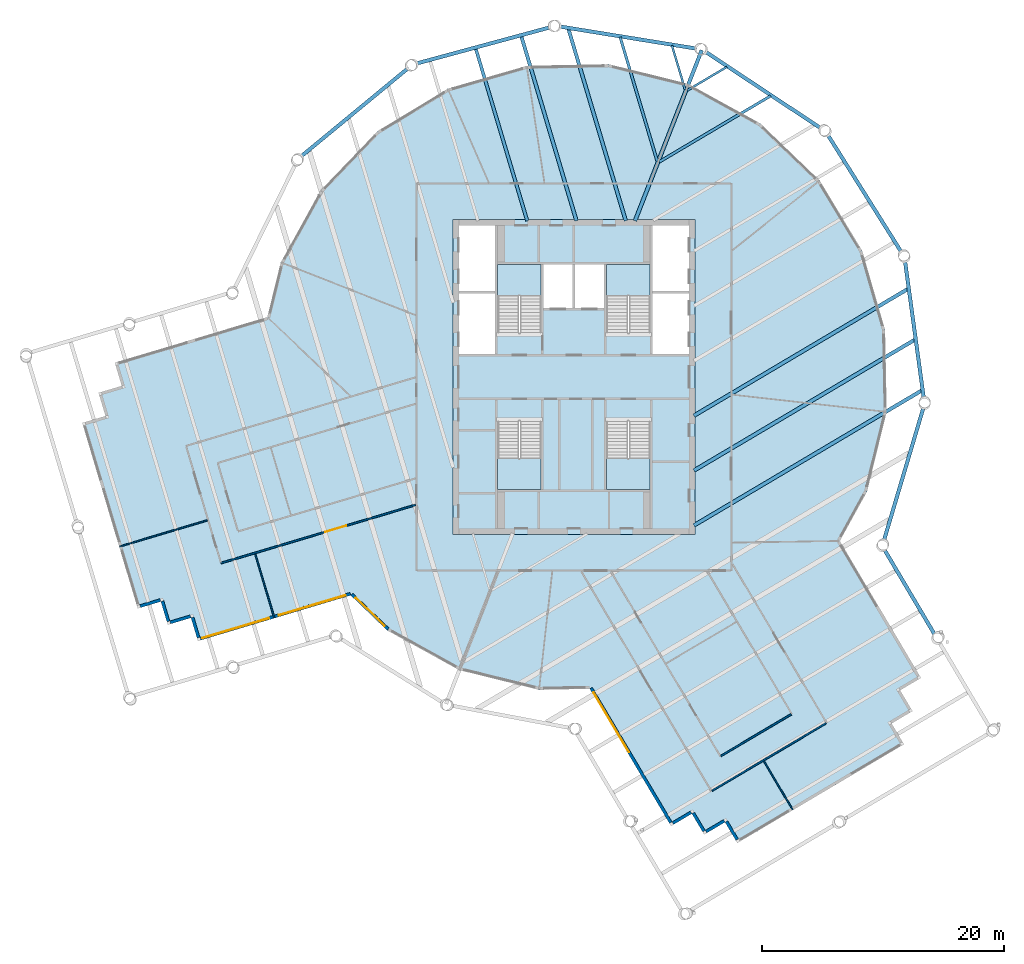
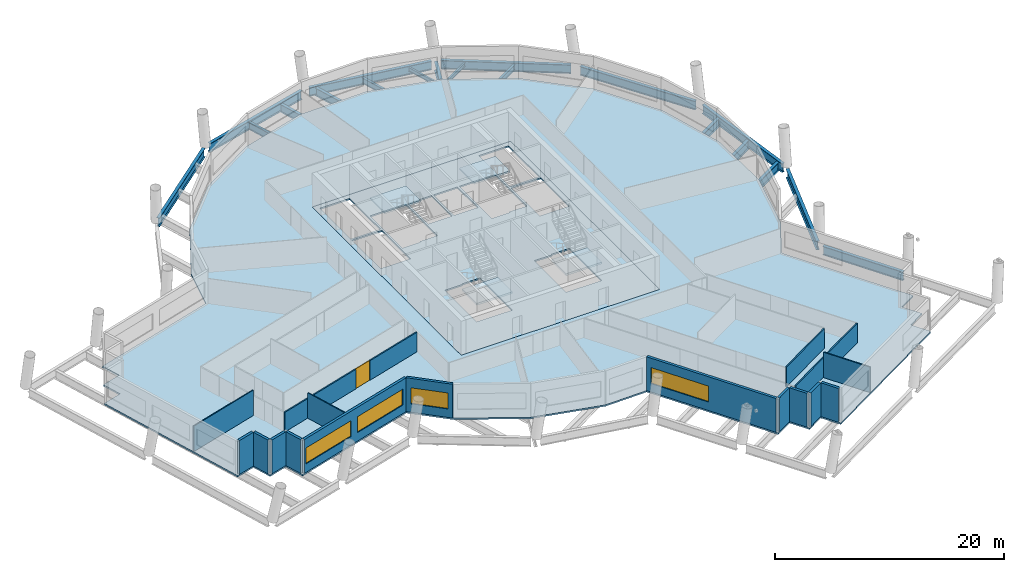
# One storey, part 2 of 11: 19 beams, 17 walls, 6 slabs, 4 windows, 1 door, 5 openings, 4 elements without a shape of their own.
"""IFC4 building model written with IfcOpenShell, lengths in metres."""

from ifc_helpers import new_model, si_unit, direction, frame, frame_2d, origin, origin_2d, place, context, subcontext, project, spatial, polyline, rectangle, i_section, outline, extrude, material, layer, layer_set, material_profile, profile_set, type_object, element, fill, aggregate, save


model = new_model("IFC4")

# Units and contexts
model_context = context("Model", 3, precision=1e-05, world=origin(), true_north=direction((0.0, 1.0)))
body_context = subcontext(model_context, "Body", "Model", "MODEL_VIEW")
ifc_project = project(units=[si_unit("LENGTHUNIT", "METRE"), si_unit("AREAUNIT", "SQUARE_METRE"), si_unit("VOLUMEUNIT", "CUBIC_METRE"), si_unit("PLANEANGLEUNIT", "RADIAN"), si_unit("MASSUNIT", "GRAM", prefix="KILO")], contexts=[model_context])

# Site, building, storey
site_placement = place(None, origin())
site = spatial("IfcSite", under=ifc_project, at=site_placement, CompositionType="ELEMENT")
building_placement = place(site_placement, origin())
building = spatial("IfcBuilding", under=site, at=building_placement, Name="Tarsis Ring Headquarters", CompositionType="ELEMENT")
storey_placement = place(building_placement, frame((0.0, 0.0, 350.89990234375)))
storey = spatial("IfcBuildingStorey", under=building, at=storey_placement, Name="L83", CompositionType="ELEMENT", Elevation=350.89990234375)

# Beams
ifc_material_1 = material(Name="Structural steel S355", Category="steel")
ifc_material_profile_1 = material_profile(ifc_material_1, i_section(OverallWidth=0.177734375, OverallDepth=0.406494140625, WebThickness=0.0078125, FlangeThickness=0.0126953125, at=origin_2d()), Name="W16x40")
ifc_profile_set_1 = profile_set([ifc_material_profile_1], Name="Structural steel S355")
beam_type_1 = type_object("IfcBeamType", Name="FB Floor beam W16x40", PredefinedType="JOIST", material=ifc_profile_set_1)
for number, where, z_axis, x_axis, name in (
    (1, (9.359619140625, 23.67529296875, -0.363037109375), (0.860366560543, 0.509675761145, 0.0), (-0.509675761145, 0.860366560543, 0.0), "Floor beam FB1"),
    (2, (8.095947265625, 27.38916015625, -0.363037109375), (0.286352932469, -0.958124208058, 0.0), (0.958124208058, 0.286352932469, 0.0), "Floor beam FB1"),
):
    element("IfcBeam", number, at=place(storey_placement, frame(where, z_axis=z_axis, x_axis=x_axis)), inside=storey, type_object=beam_type_1, Name=name, PredefinedType="JOIST", context=body_context, shape_type="SweptSolid", body=[
        extrude(i_section(OverallWidth=0.177734375, OverallDepth=0.406494140625, WebThickness=0.0078125, FlangeThickness=0.0126953125, at=origin_2d()), origin(), (0.0, 0.0, 1.0), 3.80517578125),
    ])
ifc_material_profile_2 = material_profile(ifc_material_1, i_section(OverallWidth=0.228271484375, OverallDepth=0.607177734375, WebThickness=0.01123046875, FlangeThickness=0.017333984375, at=origin_2d()), Name="W24x76")
ifc_profile_set_2 = profile_set([ifc_material_profile_2], Name="Structural steel S355")
beam_type_2 = type_object("IfcBeamType", Name="FB Floor beam W24x76", PredefinedType="JOIST", material=ifc_profile_set_2)
for number, where, z_axis, x_axis, name in (
    (3, (7.05224609375, 17.77587890625, -0.46337890625), (0.860386536762, 0.509642038454, 0.0), (-0.509642038454, 0.860386536762, 0.0), "Floor beam FB4"),
    (4, (3.818603515625, 28.0810546875, -0.46337890625), (0.28637714358, -0.958116971791, 0.0), (0.958116971791, 0.28637714358, 0.0), "Floor beam FB4"),
):
    element("IfcBeam", number, at=place(storey_placement, frame(where, z_axis=z_axis, x_axis=x_axis)), inside=storey, type_object=beam_type_2, Name=name, PredefinedType="JOIST", context=body_context, shape_type="SweptSolid", body=[
        extrude(i_section(OverallWidth=0.228271484375, OverallDepth=0.607177734375, WebThickness=0.01123046875, FlangeThickness=0.017333984375, at=origin_2d()), origin(), (0.0, 0.0, 1.0), 10.6845703125),
    ])
ifc_material_profile_3 = material_profile(ifc_material_1, i_section(OverallWidth=0.2666015625, OverallDepth=0.7568359375, WebThickness=0.013916015625, FlangeThickness=0.019287109375, at=origin_2d()), Name="W30x108")
ifc_profile_set_3 = profile_set([ifc_material_profile_3], Name="Structural steel S355")
beam_type_3 = type_object("IfcBeamType", Name="FB Floor beam W30x108", PredefinedType="JOIST", material=ifc_profile_set_3)
beam_1_placement = place(storey_placement, frame((-8.1181640625, 27.162841796875, -0.538330078125), z_axis=(0.286355883386, -0.958123326117, 0.0), x_axis=(0.958123326117, 0.286355883386, 0.0)))
element("IfcBeam", 5, at=beam_1_placement, inside=storey, type_object=beam_type_3, Name="Floor beam FB6", PredefinedType="JOIST", context=body_context, shape_type="SweptSolid", body=[
    extrude(i_section(OverallWidth=0.2666015625, OverallDepth=0.7568359375, WebThickness=0.013916015625, FlangeThickness=0.019287109375, at=origin_2d()), origin(), (0.0, 0.0, 1.0), 14.8818359375),
])
ifc_material_profile_4 = material_profile(ifc_material_1, i_section(OverallWidth=0.2919921875, OverallDepth=0.835693359375, WebThickness=0.013916015625, FlangeThickness=0.018798828125, at=origin_2d()), Name="W33x118")
ifc_profile_set_4 = profile_set([ifc_material_profile_4], Name="Structural steel S355")
beam_type_4 = type_object("IfcBeamType", Name="FB Floor beam W33x118", PredefinedType="JOIST", material=ifc_profile_set_4)
beam_2_placement = place(storey_placement, frame((-0.45849609375, 28.773193359375, -0.57763671875), z_axis=(0.286351048531, -0.958124771105, 0.0), x_axis=(0.958124771105, 0.286351048531, 0.0)))
element("IfcBeam", 6, at=beam_2_placement, inside=storey, type_object=beam_type_4, Name="Floor beam FB7", PredefinedType="JOIST", context=body_context, shape_type="SweptSolid", body=[
    extrude(i_section(OverallWidth=0.2919921875, OverallDepth=0.835693359375, WebThickness=0.013916015625, FlangeThickness=0.018798828125, at=origin_2d()), origin(), (0.0, 0.0, 1.0), 16.5625),
])
beam_3_placement = place(storey_placement, frame((-4.3525390625, 28.1826171875, -0.57763671875), z_axis=(0.286350446752, -0.958124950956, 0.0), x_axis=(0.958124950956, 0.286350446752, 0.0)))
element("IfcBeam", 7, at=beam_3_placement, inside=storey, type_object=beam_type_4, Name="Floor beam FB7", PredefinedType="JOIST", context=body_context, shape_type="SweptSolid", body=[
    extrude(i_section(OverallWidth=0.2919921875, OverallDepth=0.835693359375, WebThickness=0.013916015625, FlangeThickness=0.018798828125, at=origin_2d()), origin(), (0.0, 0.0, 1.0), 15.946044921875),
])
ifc_material_profile_5 = material_profile(ifc_material_1, i_section(OverallWidth=0.3046875, OverallDepth=0.904296875, WebThickness=0.01513671875, FlangeThickness=0.02001953125, at=origin_2d()), Name="W36x135")
ifc_profile_set_5 = profile_set([ifc_material_profile_5], Name="Structural steel S355")
beam_type_5 = type_object("IfcBeamType", Name="FB Floor beam W36x135", PredefinedType="JOIST", material=ifc_profile_set_5)
beam_4_placement = place(storey_placement, frame((9.9140625, -3.193359375, -0.612060546875), z_axis=(0.860384120288, 0.509646117964, 0.0), x_axis=(-0.509646117964, 0.860384120288, 0.0)))
element("IfcBeam", 8, at=beam_4_placement, inside=storey, type_object=beam_type_5, Name="Floor beam FB8", PredefinedType="JOIST", context=body_context, shape_type="SweptSolid", body=[
    extrude(i_section(OverallWidth=0.3046875, OverallDepth=0.904296875, WebThickness=0.01513671875, FlangeThickness=0.02001953125, at=origin_2d()), origin(), (0.0, 0.0, 1.0), 20.556640625),
])
ifc_material_profile_6 = material_profile(ifc_material_1, i_section(OverallWidth=0.3046875, OverallDepth=0.91943359375, WebThickness=0.017333984375, FlangeThickness=0.02783203125, at=origin_2d()), Name="W36x170")
ifc_profile_set_6 = profile_set([ifc_material_profile_6], Name="Structural steel S355")
beam_type_6 = type_object("IfcBeamType", Name="FB Floor beam W36x170", PredefinedType="JOIST", material=ifc_profile_set_6)
beam_5_placement = place(storey_placement, frame((9.9140625, -7.72607421875, -0.61962890625), z_axis=(0.860383268853, 0.509647555353, 0.0), x_axis=(-0.509647555353, 0.860383268853, 0.0)))
element("IfcBeam", 9, at=beam_5_placement, inside=storey, type_object=beam_type_6, Name="Floor beam FB9", PredefinedType="JOIST", context=body_context, shape_type="SweptSolid", body=[
    extrude(i_section(OverallWidth=0.3046875, OverallDepth=0.91943359375, WebThickness=0.017333984375, FlangeThickness=0.02783203125, at=origin_2d()), origin(), (0.0, 0.0, 1.0), 21.222900390625),
])
beam_6_placement = place(storey_placement, frame((9.9140625, -12.259033203125, -0.61962890625), z_axis=(0.86038246925, 0.509648905236, 0.0), x_axis=(-0.509648905236, 0.86038246925, 0.0)))
element("IfcBeam", 10, at=beam_6_placement, inside=storey, type_object=beam_type_6, Name="Floor beam FB9", PredefinedType="JOIST", context=body_context, shape_type="SweptSolid", body=[
    extrude(i_section(OverallWidth=0.3046875, OverallDepth=0.91943359375, WebThickness=0.017333984375, FlangeThickness=0.02783203125, at=origin_2d()), origin(), (0.0, 0.0, 1.0), 21.88916015625),
])
ifc_material_profile_7 = material_profile(ifc_material_1, i_section(OverallWidth=0.309814453125, OverallDepth=0.949951171875, WebThickness=0.0244140625, FlangeThickness=0.0439453125, at=origin_2d()), Name="W36x256")
ifc_profile_set_7 = profile_set([ifc_material_profile_7], Name="Structural steel S355")
beam_type_7 = type_object("IfcBeamType", Name="FB Floor beam W36x256 spine", PredefinedType="BEAM", material=ifc_profile_set_7)
beam_7_placement = place(storey_placement, frame((10.558837890625, 26.998779296875, -0.635009765625), z_axis=(-0.364216222075, -0.931314417143, 0.0), x_axis=(0.931314417143, -0.364216222075, 0.0)))
element("IfcBeam", 11, at=beam_7_placement, inside=storey, type_object=beam_type_7, Name="Floor beam SB11", PredefinedType="BEAM", context=body_context, shape_type="SweptSolid", body=[
    extrude(i_section(OverallWidth=0.309814453125, OverallDepth=0.949951171875, WebThickness=0.0244140625, FlangeThickness=0.0439453125, at=origin_2d()), origin(), (0.0, 0.0, 1.0), 15.131103515625),
])
ifc_material_profile_8 = material_profile(ifc_material_1, i_section(OverallWidth=0.309814453125, OverallDepth=0.93212890625, WebThickness=0.02099609375, FlangeThickness=0.034423828125, at=origin_2d()), Name="W36x210")
ifc_profile_set_8 = profile_set([ifc_material_profile_8], Name="Structural steel S355")
beam_type_8 = type_object("IfcBeamType", Name="XG Ring girder W36x210", PredefinedType="BEAM", material=ifc_profile_set_8)
beam_8_placement = place(storey_placement, frame((29.7880859375, -21.248779296875, -0.466064453125), z_axis=(-0.509647437142, 0.860383338875, 0.0), x_axis=(-0.860383338875, -0.509647437142, 0.0)))
element("IfcBeam", 12, at=beam_8_placement, inside=storey, type_object=beam_type_8, Name="Ring girder XG3", PredefinedType="BEAM", context=body_context, shape_type="SweptSolid", body=[
    extrude(i_section(OverallWidth=0.309814453125, OverallDepth=0.93212890625, WebThickness=0.02099609375, FlangeThickness=0.034423828125, at=origin_2d()), origin(), (0.0, 0.0, 1.0), 8.033447265625),
])
for number, where, z_axis, x_axis, name in (
    (13, (25.59619140625, -13.546875, -0.466064453125), (0.285004895272, 0.958526061029, 0.0), (-0.958526061029, 0.285004895272, 0.0), "Ring girder XG3"),
    (14, (28.904541015625, -1.7919921875, -0.466064453125), (-0.135432947858, 0.990786514157, 0.0), (-0.990786514157, -0.135432947858, 0.0), "Ring girder XG3"),
    (15, (27.073486328125, 10.281494140625, -0.466064453125), (-0.53177958302, 0.846882798906, 0.0), (-0.846882798906, -0.53177958302, 0.0), "Ring girder XG3"),
    (16, (20.4287109375, 20.52685546875, -0.466064453125), (-0.833581831774, 0.552395989972, 0.0), (-0.552395989972, -0.833581831774, 0.0), "Ring girder XG3"),
    (17, (10.1513671875, 27.12255859375, -0.466064453125), (-0.987169437729, 0.159676238727, 0.0), (-0.159676238727, -0.987169437729, 0.0), "Ring girder XG3"),
    (18, (-1.9306640625, 28.8955078125, -0.466064453125), (-0.965228176301, -0.261408813305, 0.0), (0.261408813305, -0.965228176301, 0.0), "Ring girder XG3"),
    (19, (-13.66943359375, 25.531005859375, -0.466064453125), (-0.771670698484, -0.636022274061, 0.0), (0.636022274061, -0.771670698484, 0.0), "Ring girder XG3"),
):
    element("IfcBeam", number, at=place(storey_placement, frame(where, z_axis=z_axis, x_axis=x_axis)), inside=storey, type_object=beam_type_8, Name=name, PredefinedType="BEAM", context=body_context, shape_type="SweptSolid", body=[
        extrude(i_section(OverallWidth=0.309814453125, OverallDepth=0.93212890625, WebThickness=0.02099609375, FlangeThickness=0.034423828125, at=origin_2d()), origin(), (0.0, 0.0, 1.0), 11.380126953125),
    ])

# Slab
ifc_material_2 = material(Name="Concrete C40/50", Category="concrete")
ifc_layer_1 = layer(ifc_material_2, 0.159912109375)
ifc_layer_set_1 = layer_set([ifc_layer_1], Name="Core floor slab 160 C40/50")
slab_type_1 = type_object("IfcSlabType", Name="Core floor slab 160 C40/50", PredefinedType="FLOOR", material=ifc_layer_set_1)
slab_1_placement = place(storey_placement, frame((0.0, 0.0, -0.159912109375)))
element("IfcSlab", 20, at=slab_1_placement, inside=storey, type_object=slab_type_1, Name="L83 core floor slab", PredefinedType="FLOOR", context=body_context, shape_type="SweptSolid", body=[
    extrude(outline(polyline([(-10.0, -13.0), (10.0, -13.0), (10.0, 13.0), (-10.0, 13.0), (-10.0, -13.0)]), holes=[polyline([(-2.5, 5.699951171875), (-0.10009765625, 5.699951171875), (-0.10009765625, 9.300048828125), (-2.5, 9.300048828125), (-2.5, 5.699951171875)]), polyline([(0.10009765625, 5.699951171875), (2.5, 5.699951171875), (2.5, 9.300048828125), (0.10009765625, 9.300048828125), (0.10009765625, 5.699951171875)]), polyline([(-9.5, 1.89990234375), (-6.5, 1.89990234375), (-6.5, 6.89990234375), (-9.5, 6.89990234375), (-9.5, 1.89990234375)]), polyline([(-9.5, 7.10009765625), (-6.5, 7.10009765625), (-6.5, 12.5), (-9.5, 12.5), (-9.5, 7.10009765625)]), polyline([(6.5, 1.89990234375), (9.5, 1.89990234375), (9.5, 6.89990234375), (6.5, 6.89990234375), (6.5, 1.89990234375)]), polyline([(6.5, 7.10009765625), (9.5, 7.10009765625), (9.5, 12.5), (6.5, 12.5), (6.5, 7.10009765625)]), polyline([(-2.699951171875, 3.760009765625), (-2.699951171875, 9.300048828125), (-6.300048828125, 9.300048828125), (-6.300048828125, 3.659912109375), (-4.4599609375, 3.659912109375), (-4.4599609375, 3.760009765625), (-2.699951171875, 3.760009765625)]), polyline([(6.300048828125, 3.760009765625), (6.300048828125, 9.300048828125), (2.699951171875, 9.300048828125), (2.699951171875, 3.659912109375), (4.5400390625, 3.659912109375), (4.5400390625, 3.760009765625), (6.300048828125, 3.760009765625)]), polyline([(-6.300048828125, -3.760009765625), (-6.300048828125, -9.300048828125), (-2.699951171875, -9.300048828125), (-2.699951171875, -3.659912109375), (-4.5400390625, -3.659912109375), (-4.5400390625, -3.760009765625), (-6.300048828125, -3.760009765625)]), polyline([(2.699951171875, -3.760009765625), (2.699951171875, -9.300048828125), (6.300048828125, -9.300048828125), (6.300048828125, -3.659912109375), (4.4599609375, -3.659912109375), (4.4599609375, -3.760009765625), (2.699951171875, -3.760009765625)])]), origin(), (0.0, 0.0, 1.0), 0.159912109375),
])

# Stair, slab
ifc_material_3 = material(Name="Core stair 1760")
stair_type = type_object("IfcStairType", Name="Core stair 1760", PredefinedType="HALF_TURN_STAIR", material=ifc_material_3)
stair_1_placement = place(storey_placement, origin())
stair_1 = element("IfcStair", 21, at=stair_1_placement, inside=storey, type_object=stair_type, Name="L83 Firefighting stair", PredefinedType="HALF_TURN_STAIR")
ifc_layer_2 = layer(ifc_material_2, 0.199951171875)
ifc_layer_set_2 = layer_set([ifc_layer_2], Name="Core stair landing 200")
slab_type_2 = type_object("IfcSlabType", Name="Core stair landing 200", PredefinedType="LANDING", material=ifc_layer_set_2)
slab_2_placement = place(storey_placement, frame((0.0, 0.0, 1.75)))
slab_2 = element("IfcSlab", 22, at=slab_2_placement, type_object=slab_type_2, Name="Stair ST1 landing 1", PredefinedType="LANDING", context=body_context, shape_type="SweptSolid", body=[
    extrude(outline(polyline([(-2.699951171875, 6.739990234375), (-2.699951171875, 9.300048828125), (-6.300048828125, 9.300048828125), (-6.300048828125, 6.739990234375), (-2.699951171875, 6.739990234375)])), origin(), (0.0, 0.0, 1.0), 0.2001953125),
])
aggregate(stair_1, [slab_2])

stair_2_placement = place(storey_placement, origin())
stair_2 = element("IfcStair", 23, at=stair_2_placement, inside=storey, type_object=stair_type, Name="L83 Exit stair B", PredefinedType="HALF_TURN_STAIR")
slab_3_placement = place(storey_placement, frame((0.0, 0.0, 1.75)))
slab_3 = element("IfcSlab", 24, at=slab_3_placement, type_object=slab_type_2, Name="Stair ST2 landing 1", PredefinedType="LANDING", context=body_context, shape_type="SweptSolid", body=[
    extrude(outline(polyline([(6.300048828125, 6.739990234375), (6.300048828125, 9.300048828125), (2.699951171875, 9.300048828125), (2.699951171875, 6.739990234375), (6.300048828125, 6.739990234375)])), origin(), (0.0, 0.0, 1.0), 0.2001953125),
])
aggregate(stair_2, [slab_3])

stair_3_placement = place(storey_placement, origin())
stair_3 = element("IfcStair", 25, at=stair_3_placement, inside=storey, type_object=stair_type, Name="L83 Exit stair C", PredefinedType="HALF_TURN_STAIR")
slab_4_placement = place(storey_placement, frame((0.0, 0.0, 1.75)))
slab_4 = element("IfcSlab", 26, at=slab_4_placement, type_object=slab_type_2, Name="Stair ST3 landing 1", PredefinedType="LANDING", context=body_context, shape_type="SweptSolid", body=[
    extrude(outline(polyline([(-6.300048828125, -6.739990234375), (-6.300048828125, -9.300048828125), (-2.699951171875, -9.300048828125), (-2.699951171875, -6.739990234375), (-6.300048828125, -6.739990234375)])), origin(), (0.0, 0.0, 1.0), 0.2001953125),
])
aggregate(stair_3, [slab_4])

stair_4_placement = place(storey_placement, origin())
stair_4 = element("IfcStair", 27, at=stair_4_placement, inside=storey, type_object=stair_type, Name="L83 Exit stair D", PredefinedType="HALF_TURN_STAIR")
slab_5_placement = place(storey_placement, frame((0.0, 0.0, 1.75)))
slab_5 = element("IfcSlab", 28, at=slab_5_placement, type_object=slab_type_2, Name="Stair ST4 landing 1", PredefinedType="LANDING", context=body_context, shape_type="SweptSolid", body=[
    extrude(outline(polyline([(2.699951171875, -6.739990234375), (2.699951171875, -9.300048828125), (6.300048828125, -9.300048828125), (6.300048828125, -6.739990234375), (2.699951171875, -6.739990234375)])), origin(), (0.0, 0.0, 1.0), 0.2001953125),
])
aggregate(stair_4, [slab_5])

# Slab
ifc_material_4 = material(Name="Concrete C35/45", Category="concrete")
ifc_layer_3 = layer(ifc_material_4, 0.159912109375)
ifc_layer_set_3 = layer_set([ifc_layer_3], Name="FS Composite floor slab 160")
slab_type_3 = type_object("IfcSlabType", Name="FS Composite floor slab 160", PredefinedType="FLOOR", material=ifc_layer_set_3)
slab_6_placement = place(storey_placement, frame((0.0, 0.0, -0.159912109375)))
element("IfcSlab", 29, at=slab_6_placement, inside=storey, type_object=slab_type_3, Name="Floor slab L83", PredefinedType="FLOOR", context=body_context, shape_type="SweptSolid", body=[
    extrude(outline(polyline([(-18.435791015625, -18.034423828125), (-15.414306640625, -20.93798828125), (-9.469970703125, -24.214111328125), (-2.880126953125, -25.840087890625), (1.3095703125, -25.756591796875), (8.0224609375, -37.089599609375), (9.7431640625, -36.0703125), (10.762451171875, -37.791015625), (12.4833984375, -36.771728515625), (13.502685546875, -38.49267578125), (27.268798828125, -30.33837890625), (26.24951171875, -28.617431640625), (27.97021484375, -27.59814453125), (26.950927734375, -25.87744140625), (28.671875, -24.858154296875), (21.96923828125, -13.54296875), (24.214111328125, -9.469970703125), (25.840087890625, -2.880126953125), (25.704833984375, 3.90576171875), (23.818115234375, 10.42578125), (20.30810546875, 16.235107421875), (15.414306640625, 20.93798828125), (9.469970703125, 24.214111328125), (2.880126953125, 25.840087890625), (-3.90576171875, 25.704833984375), (-10.42578125, 23.818115234375), (-16.235107421875, 20.30810546875), (-20.93798828125, 15.414306640625), (-24.214111328125, 9.469970703125), (-25.328125, 4.95458984375), (-37.9287109375, 1.188720703125), (-37.35595703125, -0.7275390625), (-39.272216796875, -1.30029296875), (-38.699462890625, -3.216552734375), (-40.61572265625, -3.789306640625), (-36.033935546875, -19.119384765625), (-34.117919921875, -18.546630859375), (-33.545166015625, -20.462890625), (-31.62890625, -19.89013671875), (-31.05615234375, -21.806396484375), (-18.435791015625, -18.034423828125)]), holes=[polyline([(-10.0, -13.0), (-10.0, 13.0), (10.0, 13.0), (10.0, -13.0), (-10.0, -13.0)])]), origin(), (0.0, 0.0, 1.0), 0.159912109375),
])

# Walls
ifc_material_5 = material(Name="Gypsum board on steel studs", Category="steel")
ifc_layer_4 = layer(ifc_material_5, 0.10009765625)
ifc_layer_set_4 = layer_set([ifc_layer_4], Name="FL partition 100 unrated")
wall_type_1 = type_object("IfcWallType", Name="FL partition 100 unrated", PredefinedType="PARTITIONING", material=ifc_layer_set_4)
wall_1_placement = place(storey_placement, frame((-37.512451171875, -13.998291015625, 0.0), z_axis=(0.0, 0.0, 1.0), x_axis=(0.958119480027, 0.286368751776, 0.0)))
element("IfcWall", 30, at=wall_1_placement, inside=storey, type_object=wall_type_1, Name="Partition PW3", PredefinedType="PARTITIONING", context=body_context, shape_type="SweptSolid", body=[
    extrude(rectangle(XDim=7.550048828125, YDim=0.10009765625, at=frame_2d((3.77490234375, 0.0))), origin(), (0.0, 0.0, 1.0), 2.7001953125),
])
wall_2_placement = place(storey_placement, frame((-26.331298828125, -14.601806640625, 0.0), z_axis=(0.0, 0.0, 1.0), x_axis=(0.286362186104, -0.958121442391, 0.0)))
element("IfcWall", 31, at=wall_2_placement, inside=storey, type_object=wall_type_1, Name="Partition PW3", PredefinedType="PARTITIONING", context=body_context, shape_type="SweptSolid", body=[
    extrude(rectangle(XDim=5.499755859375, YDim=0.10009765625, at=frame_2d((2.75, 0.0))), origin(), (0.0, 0.0, 1.0), 2.7001953125),
])
wall_3_placement = place(storey_placement, frame((15.68798828125, -31.723876953125, 0.0), z_axis=(0.0, 0.0, 1.0), x_axis=(0.509664516984, -0.860373221414, 0.0)))
element("IfcWall", 32, at=wall_3_placement, inside=storey, type_object=wall_type_1, Name="Partition PW3", PredefinedType="PARTITIONING", context=body_context, shape_type="SweptSolid", body=[
    extrude(rectangle(XDim=4.659912109375, YDim=0.10009765625, at=frame_2d((2.330078125, 0.0))), origin(), (0.0, 0.0, 1.0), 2.7001953125),
])

# Wall, opening, door
ifc_layer_5 = layer(ifc_material_5, 0.125)
ifc_layer_set_5 = layer_set([ifc_layer_5], Name="FL partition 125 EI 60 H2080")
wall_type_2 = type_object("IfcWallType", Name="FL partition 125 EI 60 H2080", PredefinedType="PARTITIONING", material=ifc_layer_set_5)
wall_4_placement = place(storey_placement, frame((-29.149169921875, -15.370849609375, 0.0), z_axis=(0.0, 0.0, 1.0), x_axis=(0.958121793713, 0.286361010635, 0.0)))
wall_4 = element("IfcWall", 33, at=wall_4_placement, inside=storey, type_object=wall_type_2, Name="Partition PW1H208", PredefinedType="PARTITIONING", context=body_context, shape_type="SweptSolid", body=[
    extrude(rectangle(XDim=16.77490234375, YDim=0.125, at=frame_2d((8.387451171875, 0.0))), origin(), (0.0, 0.0, 1.0), 2.080078125),
])
opening_1_placement = place(wall_4_placement, frame((8.985595703125, 0.0, 0.0)))
opening_1 = element("IfcOpeningElement", 34, at=opening_1_placement, cuts=wall_4, Name="Opening D83.13", PredefinedType="OPENING", context=body_context, shape_type="SweptSolid", body=[
    extrude(rectangle(XDim=1.800048828125, YDim=2.10009765625, at=frame_2d((0.89990234375, 1.050048828125))), frame((0.0, 0.072509765625, 0.0), z_axis=(0.0, -1.0, 0.0), x_axis=(1.0, 0.0, 0.0)), (0.0, 0.0, 1.0), 0.14501953125),
])
ifc_material_6 = material(Name="Fire-rated timber door leaf in steel frame", Category="steel")
door_type = type_object("IfcDoorType", Name="FL door FD60-1800", OperationType="DOUBLE_DOOR_SINGLE_SWING", PredefinedType="DOOR", material=ifc_material_6)
door_placement = place(opening_1_placement, origin())
door = element("IfcDoor", 35, at=door_placement, inside=storey, type_object=door_type, Name="Door D83.13", OperationType="DOUBLE_DOOR_SINGLE_SWING", OverallHeight=2.10009765625, OverallWidth=1.800048828125, PredefinedType="DOOR", context=body_context, shape_type="SweptSolid", body=[
    extrude(rectangle(XDim=1.800048828125, YDim=2.10009765625, at=frame_2d((0.89990234375, 1.050048828125))), frame((0.0, 0.02490234375, 0.0), z_axis=(0.0, -1.0, 0.0), x_axis=(1.0, 0.0, 0.0)), (0.0, 0.0, 1.0), 0.050048828125),
])
fill(opening_1, door)

# Walls
wall_5_placement = place(storey_placement, frame((11.41064453125, -34.176025390625, 0.0), z_axis=(0.0, 0.0, 1.0), x_axis=(0.860387580957, 0.509640275621, 0.0)))
element("IfcWall", 36, at=wall_5_placement, inside=storey, type_object=wall_type_2, Name="Partition PW1H208", PredefinedType="PARTITIONING", context=body_context, shape_type="SweptSolid", body=[
    extrude(rectangle(XDim=10.93994140625, YDim=0.125, at=frame_2d((5.469970703125, 0.0))), origin(), (0.0, 0.0, 1.0), 2.080078125),
])
wall_6_placement = place(storey_placement, frame((12.147216796875, -31.299072265625, 0.0), z_axis=(0.0, 0.0, 1.0), x_axis=(0.86038448336, 0.509645505026, 0.0)))
element("IfcWall", 37, at=wall_6_placement, inside=storey, type_object=wall_type_2, Name="Partition PW1H208", PredefinedType="PARTITIONING", context=body_context, shape_type="SweptSolid", body=[
    extrude(rectangle(XDim=6.739990234375, YDim=0.125, at=frame_2d((3.3701171875, 0.0))), origin(), (0.0, 0.0, 1.0), 2.080078125),
])

# Wall, openings, windows
ifc_material_7 = material(Name="Terracotta clad insulated panel wall", Category="masonry")
ifc_layer_6 = layer(ifc_material_7, 0.25)
ifc_layer_set_6 = layer_set([ifc_layer_6], Name="Facade wall terracotta panel 250")
wall_type_3 = type_object("IfcWallType", Name="Facade wall terracotta panel 250", PredefinedType="STANDARD", material=ifc_layer_set_6)
wall_7_placement = place(storey_placement, frame((-30.852294921875, -21.614990234375, 0.0), z_axis=(0.0, 0.0, 1.0), x_axis=(0.958125286921, 0.286349322617, 0.0)))
wall_7 = element("IfcWall", 38, at=wall_7_placement, inside=storey, type_object=wall_type_3, Name="External wall L83-01", PredefinedType="STANDARD", context=body_context, shape_type="SweptSolid", body=[
    extrude(rectangle(XDim=12.921875, YDim=0.25, at=frame_2d((6.4609375, 0.0))), origin(), (0.0, 0.0, 1.0), 3.60009765625),
])
opening_2_placement = place(wall_7_placement, frame((0.16796875, 0.0, 0.89990234375)))
opening_2 = element("IfcOpeningElement", 39, at=opening_2_placement, cuts=wall_7, Name="Opening WN06", PredefinedType="OPENING", context=body_context, shape_type="SweptSolid", body=[
    extrude(rectangle(XDim=5.75, YDim=1.699951171875, at=frame_2d((2.875, 0.85009765625))), frame((0.0, 0.135009765625, 0.0), z_axis=(0.0, -1.0, 0.0), x_axis=(1.0, 0.0, 0.0)), (0.0, 0.0, 1.0), 0.27001953125),
])
opening_3_placement = place(wall_7_placement, frame((6.75390625, 0.0, 0.89990234375)))
opening_3 = element("IfcOpeningElement", 40, at=opening_3_placement, cuts=wall_7, Name="Opening WN06", PredefinedType="OPENING", context=body_context, shape_type="SweptSolid", body=[
    extrude(rectangle(XDim=5.75, YDim=1.699951171875, at=frame_2d((2.875, 0.85009765625))), frame((0.0, 0.135009765625, 0.0), z_axis=(0.0, -1.0, 0.0), x_axis=(1.0, 0.0, 0.0)), (0.0, 0.0, 1.0), 0.27001953125),
])
ifc_material_8 = material(Name="Aluminium framed double glazing", Category="aluminium")
window_type_1 = type_object("IfcWindowType", Name="Facade window 5750 x 1700", PartitioningType="SINGLE_PANEL", PredefinedType="WINDOW", material=ifc_material_8)
window_1_placement = place(opening_2_placement, origin())
window_1 = element("IfcWindow", 41, at=window_1_placement, inside=storey, type_object=window_type_1, Name="Window L83-01.1", OverallHeight=1.699951171875, OverallWidth=5.75, PartitioningType="SINGLE_PANEL", PredefinedType="WINDOW", context=body_context, shape_type="SweptSolid", body=[
    extrude(rectangle(XDim=5.75, YDim=1.699951171875, at=frame_2d((2.875, 0.85009765625))), frame((0.0, 0.030029296875, 0.0), z_axis=(0.0, -1.0, 0.0), x_axis=(1.0, 0.0, 0.0)), (0.0, 0.0, 1.0), 0.06005859375),
])
fill(opening_2, window_1)
window_2_placement = place(opening_3_placement, origin())
window_2 = element("IfcWindow", 42, at=window_2_placement, inside=storey, type_object=window_type_1, Name="Window L83-01.2", OverallHeight=1.699951171875, OverallWidth=5.75, PartitioningType="SINGLE_PANEL", PredefinedType="WINDOW", context=body_context, shape_type="SweptSolid", body=[
    extrude(rectangle(XDim=5.75, YDim=1.699951171875, at=frame_2d((2.875, 0.85009765625))), frame((0.0, 0.030029296875, 0.0), z_axis=(0.0, -1.0, 0.0), x_axis=(1.0, 0.0, 0.0)), (0.0, 0.0, 1.0), 0.06005859375),
])
fill(opening_3, window_2)

# Wall, opening, window
wall_8_placement = place(storey_placement, frame((-18.34912109375, -17.9443359375, 0.0), z_axis=(0.0, 0.0, 1.0), x_axis=(0.721059838854, -0.692872794091, 0.0)))
wall_8 = element("IfcWall", 43, at=wall_8_placement, inside=storey, type_object=wall_type_3, Name="External wall L83-02", PredefinedType="STANDARD", context=body_context, shape_type="SweptSolid", body=[
    extrude(rectangle(XDim=4.157470703125, YDim=0.25, at=frame_2d((2.07861328125, 0.0))), origin(), (0.0, 0.0, 1.0), 3.60009765625),
])
opening_4_placement = place(wall_8_placement, frame((0.420166015625, 0.0, 0.89990234375)))
opening_4 = element("IfcOpeningElement", 44, at=opening_4_placement, cuts=wall_8, Name="Opening WN01", PredefinedType="OPENING", context=body_context, shape_type="SweptSolid", body=[
    extrude(rectangle(XDim=3.35009765625, YDim=1.699951171875, at=frame_2d((1.675048828125, 0.85009765625))), frame((0.0, 0.135009765625, 0.0), z_axis=(0.0, -1.0, 0.0), x_axis=(1.0, 0.0, 0.0)), (0.0, 0.0, 1.0), 0.27001953125),
])
window_type_2 = type_object("IfcWindowType", Name="Facade window 3350 x 1700", PartitioningType="SINGLE_PANEL", PredefinedType="WINDOW", material=ifc_material_8)
window_3_placement = place(opening_4_placement, origin())
window_3 = element("IfcWindow", 45, at=window_3_placement, inside=storey, type_object=window_type_2, Name="Window L83-02.1", OverallHeight=1.699951171875, OverallWidth=3.35009765625, PartitioningType="SINGLE_PANEL", PredefinedType="WINDOW", context=body_context, shape_type="SweptSolid", body=[
    extrude(rectangle(XDim=3.35009765625, YDim=1.699951171875, at=frame_2d((1.675048828125, 0.85009765625))), frame((0.0, 0.030029296875, 0.0), z_axis=(0.0, -1.0, 0.0), x_axis=(1.0, 0.0, 0.0)), (0.0, 0.0, 1.0), 0.06005859375),
])
fill(opening_4, window_3)

wall_9_placement = place(storey_placement, frame((1.4169921875, -25.69287109375, 0.0), z_axis=(0.0, 0.0, 1.0), x_axis=(0.509647533475, -0.860383281813, 0.0)))
wall_9 = element("IfcWall", 46, at=wall_9_placement, inside=storey, type_object=wall_type_3, Name="External wall L83-06", PredefinedType="STANDARD", context=body_context, shape_type="SweptSolid", body=[
    extrude(rectangle(XDim=12.922119140625, YDim=0.25, at=frame_2d((6.4609375, 0.0))), origin(), (0.0, 0.0, 1.0), 3.60009765625),
])
opening_5_placement = place(wall_9_placement, frame((0.41796875, 0.0, 0.89990234375)))
opening_5 = element("IfcOpeningElement", 47, at=opening_5_placement, cuts=wall_9, Name="Opening WN06", PredefinedType="OPENING", context=body_context, shape_type="SweptSolid", body=[
    extrude(rectangle(XDim=5.75, YDim=1.699951171875, at=frame_2d((2.875, 0.85009765625))), frame((0.0, 0.135009765625, 0.0), z_axis=(0.0, -1.0, 0.0), x_axis=(1.0, 0.0, 0.0)), (0.0, 0.0, 1.0), 0.27001953125),
])
window_4_placement = place(opening_5_placement, origin())
window_4 = element("IfcWindow", 48, at=window_4_placement, inside=storey, type_object=window_type_1, Name="Window L83-06.1", OverallHeight=1.699951171875, OverallWidth=5.75, PartitioningType="SINGLE_PANEL", PredefinedType="WINDOW", context=body_context, shape_type="SweptSolid", body=[
    extrude(rectangle(XDim=5.75, YDim=1.699951171875, at=frame_2d((2.875, 0.85009765625))), frame((0.0, 0.030029296875, 0.0), z_axis=(0.0, -1.0, 0.0), x_axis=(1.0, 0.0, 0.0)), (0.0, 0.0, 1.0), 0.06005859375),
])
fill(opening_5, window_4)

# Walls
for number, where, z_axis, x_axis, name in (
    (49, (8.173828125, -36.854736328125, 0.0), (0.0, 0.0, 1.0), (0.860384434426, 0.509645587637, 0.0), "External wall L83-07"),
    (50, (9.850830078125, -36.006591796875, 0.0), (0.0, 0.0, 1.0), (0.509645587637, -0.860384434426, 0.0), "External wall L83-08"),
):
    element("IfcWall", number, at=place(storey_placement, frame(where, z_axis=z_axis, x_axis=x_axis)), inside=storey, type_object=wall_type_3, Name=name, PredefinedType="STANDARD", context=body_context, shape_type="SweptSolid", body=[
        extrude(rectangle(XDim=1.75, YDim=0.25, at=frame_2d((0.875, 0.0))), origin(), (0.0, 0.0, 1.0), 3.60009765625),
    ])
for number, where, z_axis, x_axis, name in (
    (51, (10.913818359375, -37.55615234375, 0.0), (0.0, 0.0, 1.0), (0.860420665144, 0.509584417926, 0.0), "External wall L83-09"),
    (52, (12.5908203125, -36.7080078125, 0.0), (0.0, 0.0, 1.0), (0.509584417926, -0.860420665144, 0.0), "External wall L83-10"),
):
    element("IfcWall", number, at=place(storey_placement, frame(where, z_axis=z_axis, x_axis=x_axis)), inside=storey, type_object=wall_type_3, Name=name, PredefinedType="STANDARD", context=body_context, shape_type="SweptSolid", body=[
        extrude(rectangle(XDim=1.750244140625, YDim=0.25, at=frame_2d((0.875, 0.0))), origin(), (0.0, 0.0, 1.0), 3.60009765625),
    ])
for number, where, z_axis, x_axis, name in (
    (53, (-35.830322265625, -18.927978515625, 0.0), (0.0, 0.0, 1.0), (0.958109943353, 0.286400657208, 0.0), "External wall L83-37"),
    (54, (-33.998046875, -18.5107421875, 0.0), (0.0, 0.0, 1.0), (0.286400657208, -0.958109943353, 0.0), "External wall L83-38"),
    (55, (-33.34130859375, -20.271484375, 0.0), (0.0, 0.0, 1.0), (0.958109943353, 0.286400657208, 0.0), "External wall L83-39"),
    (56, (-31.509033203125, -19.854248046875, 0.0), (0.0, 0.0, 1.0), (0.286272588868, -0.958148216542, 0.0), "External wall L83-40"),
):
    element("IfcWall", number, at=place(storey_placement, frame(where, z_axis=z_axis, x_axis=x_axis)), inside=storey, type_object=wall_type_3, Name=name, PredefinedType="STANDARD", context=body_context, shape_type="SweptSolid", body=[
        extrude(rectangle(XDim=1.75, YDim=0.25, at=frame_2d((0.875, 0.0))), origin(), (0.0, 0.0, 1.0), 3.60009765625),
    ])

save(model, "model.ifc")
